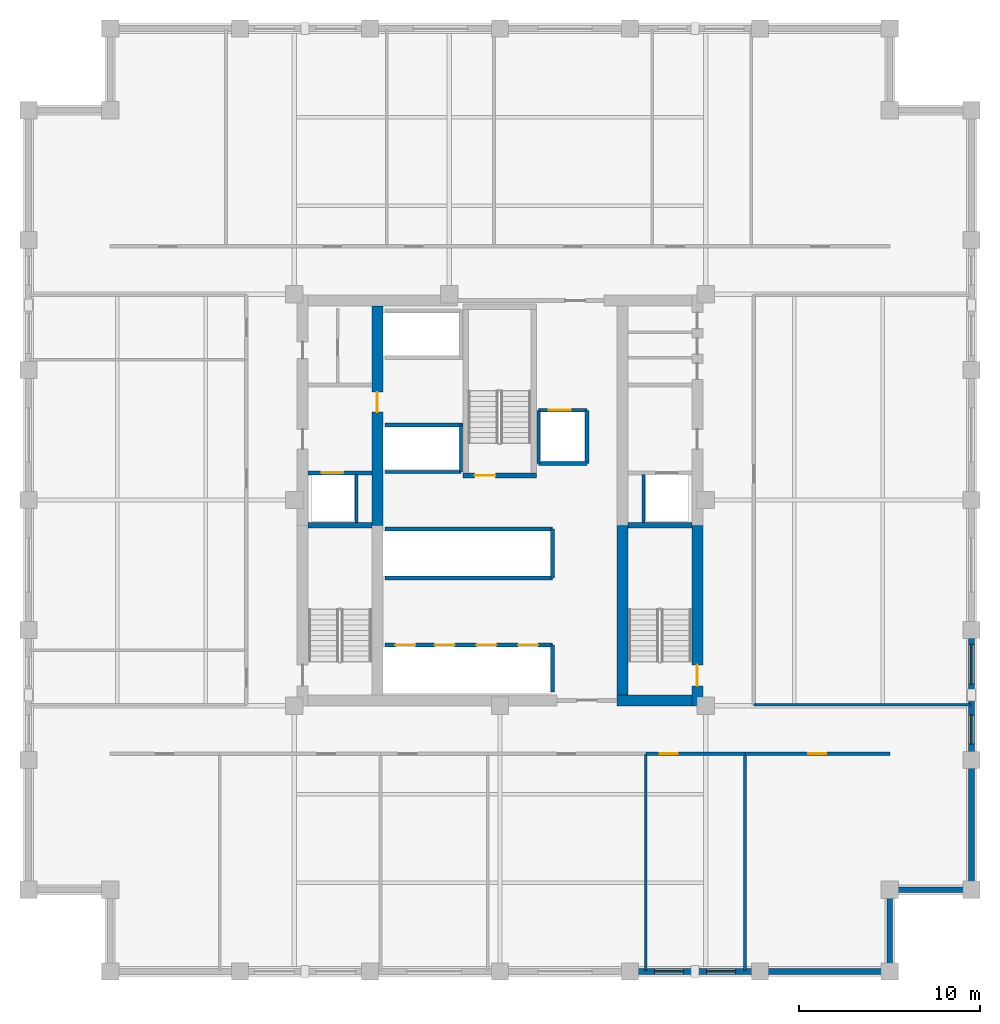
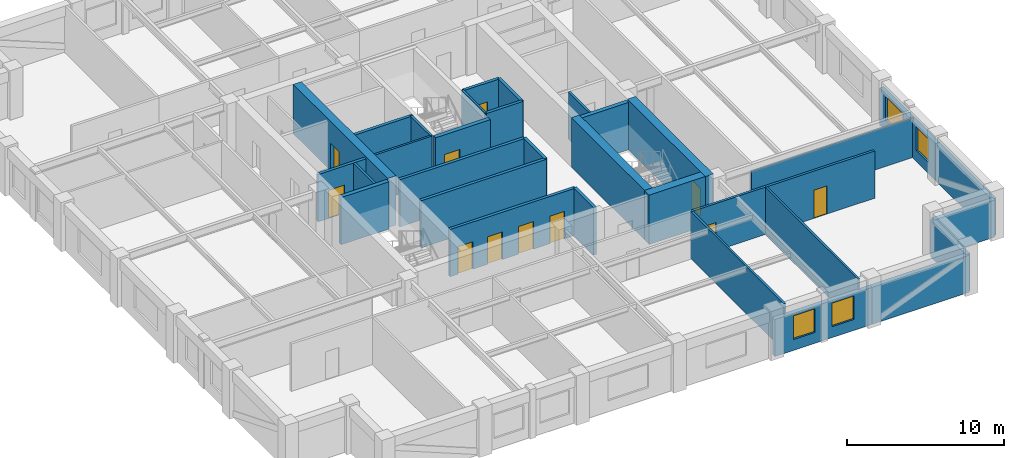
# One storey, part 3 of 6: 33 walls, 11 doors, 4 windows, 15 openings.
"""IFC4 building model written with IfcOpenShell, lengths in metres."""

from ifc_helpers import new_model, si_unit, direction, frame, frame_2d, origin, place, context, subcontext, project, spatial, rectangle, extrude, material, layer, layer_set, type_object, element, fill, save


model = new_model("IFC4")

# Units and contexts
model_context = context("Model", 3, precision=1e-05, world=origin(), true_north=direction((0.0, 1.0)))
body_context = subcontext(model_context, "Body", "Model", "MODEL_VIEW")
ifc_project = project(units=[si_unit("LENGTHUNIT", "METRE"), si_unit("AREAUNIT", "SQUARE_METRE"), si_unit("VOLUMEUNIT", "CUBIC_METRE"), si_unit("PLANEANGLEUNIT", "RADIAN"), si_unit("MASSUNIT", "GRAM", prefix="KILO")], contexts=[model_context])

# Site, building, storey
site_placement = place(None, origin())
site = spatial("IfcSite", under=ifc_project, at=site_placement, CompositionType="ELEMENT")
building_placement = place(site_placement, origin())
building = spatial("IfcBuilding", under=site, at=building_placement, Name="Nhamokura Convention Tower", CompositionType="ELEMENT")
storey_placement = place(building_placement, frame((0.0, 0.0, 129.85009765625)))
storey = spatial("IfcBuildingStorey", under=building, at=storey_placement, Name="L31", CompositionType="ELEMENT", Elevation=129.85009765625)

# Wall, openings, windows
ifc_material_1 = material(Name="Bronze-pigmented precast concrete C45/55", Category="concrete")
ifc_layer_1 = layer(ifc_material_1, 0.320068359375)
ifc_layer_set_1 = layer_set([ifc_layer_1], Name="BronzePrecastSpandrel_320")
wall_type_1 = type_object("IfcWallType", Name="BronzePrecastSpandrel_320", PredefinedType="USERDEFINED", material=ifc_layer_set_1)
wall_1_placement = place(storey_placement, frame((46.333251953125, 6.0, 0.0), z_axis=(0.0, 0.0, 1.0), x_axis=(-1.0, 0.0, 0.0)))
wall_1 = element("IfcWall", 1, at=wall_1_placement, inside=storey, type_object=wall_type_1, Name="L31 Masonry-Frame Wall SOUTH 4", ObjectType="SPANDREL_WALL", PredefinedType="USERDEFINED", context=body_context, shape_type="SweptSolid", body=[
    extrude(rectangle(XDim=7.16650390625, YDim=0.320068359375, at=frame_2d((3.583251953125, 0.0))), origin(), (0.0, 0.0, 1.0), 2.885009765625),
])
opening_1_placement = place(wall_1_placement, frame((1.341796875, 0.0, 0.85009765625)))
opening_1 = element("IfcOpeningElement", 2, at=opening_1_placement, cuts=wall_1, Name="Opening W-11", PredefinedType="OPENING", context=body_context, shape_type="SweptSolid", body=[
    extrude(rectangle(XDim=1.60009765625, YDim=1.8349609375, at=frame_2d((0.800048828125, 0.91748046875))), frame((0.0, 0.169921875, 0.0), z_axis=(0.0, -1.0, 0.0), x_axis=(1.0, 0.0, 0.0)), (0.0, 0.0, 1.0), 0.340087890625),
])
opening_2_placement = place(wall_1_placement, frame((4.199951171875, 0.0, 0.85009765625)))
opening_2 = element("IfcOpeningElement", 3, at=opening_2_placement, cuts=wall_1, Name="Opening W-11", PredefinedType="OPENING", context=body_context, shape_type="SweptSolid", body=[
    extrude(rectangle(XDim=1.60009765625, YDim=1.8349609375, at=frame_2d((0.800048828125, 0.91748046875))), frame((0.0, 0.169921875, 0.0), z_axis=(0.0, -1.0, 0.0), x_axis=(1.0, 0.0, 0.0)), (0.0, 0.0, 1.0), 0.340087890625),
])
ifc_material_2 = material(Name="Solar-control bronze low-E double glass", Category="glass")
window_type_1 = type_object("IfcWindowType", Name="NotchCornerWindow_1600", PartitioningType="SINGLE_PANEL", PredefinedType="WINDOW", material=ifc_material_2)
window_1_placement = place(opening_1_placement, origin())
window_1 = element("IfcWindow", 4, at=window_1_placement, inside=storey, type_object=window_type_1, Name="L31 Facade Window SOUTH 4-1", OverallHeight=1.8349609375, OverallWidth=1.60009765625, PartitioningType="SINGLE_PANEL", PredefinedType="WINDOW", context=body_context, shape_type="SweptSolid", body=[
    extrude(rectangle(XDim=1.60009765625, YDim=1.8349609375, at=frame_2d((0.800048828125, 0.91748046875))), frame((0.0, 0.030029296875, 0.0), z_axis=(0.0, -1.0, 0.0), x_axis=(1.0, 0.0, 0.0)), (0.0, 0.0, 1.0), 0.06005859375),
])
fill(opening_1, window_1)
window_2_placement = place(opening_2_placement, origin())
window_2 = element("IfcWindow", 5, at=window_2_placement, inside=storey, type_object=window_type_1, Name="L31 Facade Window SOUTH 4-2", OverallHeight=1.8349609375, OverallWidth=1.60009765625, PartitioningType="SINGLE_PANEL", PredefinedType="WINDOW", context=body_context, shape_type="SweptSolid", body=[
    extrude(rectangle(XDim=1.60009765625, YDim=1.8349609375, at=frame_2d((0.800048828125, 0.91748046875))), frame((0.0, 0.030029296875, 0.0), z_axis=(0.0, -1.0, 0.0), x_axis=(1.0, 0.0, 0.0)), (0.0, 0.0, 1.0), 0.06005859375),
])
fill(opening_2, window_2)

# Walls
for number, where, z_axis, x_axis, name in (
    (6, (53.5, 6.0, 0.0), (0.0, 0.0, 1.0), (-1.0, 0.0, 0.0), "L31 Braced-Bay Precast Wall SOUTH 5"),
    (7, (58.0, 17.666748046875, 0.0), (0.0, 0.0, 1.0), (0.0, -1.0, 0.0), "L31 Braced-Bay Precast Wall EAST 0"),
):
    element("IfcWall", number, at=place(storey_placement, frame(where, z_axis=z_axis, x_axis=x_axis)), inside=storey, type_object=wall_type_1, Name=name, ObjectType="SPANDREL_WALL", PredefinedType="USERDEFINED", context=body_context, shape_type="SweptSolid", body=[
        extrude(rectangle(XDim=7.166748046875, YDim=0.320068359375, at=frame_2d((3.58349609375, 0.0))), origin(), (0.0, 0.0, 1.0), 2.885009765625),
    ])

# Wall, openings, windows
wall_2_placement = place(storey_placement, frame((58.0, 24.833251953125, 0.0), z_axis=(0.0, 0.0, 1.0), x_axis=(0.0, -1.0, 0.0)))
wall_2 = element("IfcWall", 8, at=wall_2_placement, inside=storey, type_object=wall_type_1, Name="L31 Masonry-Frame Wall EAST 1", ObjectType="SPANDREL_WALL", PredefinedType="USERDEFINED", context=body_context, shape_type="SweptSolid", body=[
    extrude(rectangle(XDim=7.16650390625, YDim=0.320068359375, at=frame_2d((3.583251953125, 0.0))), origin(), (0.0, 0.0, 1.0), 2.885009765625),
])
opening_3_placement = place(wall_2_placement, frame((0.791748046875, 0.0, 0.85009765625)))
opening_3 = element("IfcOpeningElement", 9, at=opening_3_placement, cuts=wall_2, Name="Opening W-06", PredefinedType="OPENING", context=body_context, shape_type="SweptSolid", body=[
    extrude(rectangle(XDim=2.199951171875, YDim=1.8349609375, at=frame_2d((1.10009765625, 0.91748046875))), frame((0.0, 0.169921875, 0.0), z_axis=(0.0, -1.0, 0.0), x_axis=(1.0, 0.0, 0.0)), (0.0, 0.0, 1.0), 0.340087890625),
])
opening_4_placement = place(wall_2_placement, frame((4.6875, 0.0, 0.85009765625)))
opening_4 = element("IfcOpeningElement", 10, at=opening_4_placement, cuts=wall_2, Name="Opening W-11", PredefinedType="OPENING", context=body_context, shape_type="SweptSolid", body=[
    extrude(rectangle(XDim=1.60009765625, YDim=1.8349609375, at=frame_2d((0.800048828125, 0.91748046875))), frame((0.0, 0.169921875, 0.0), z_axis=(0.0, -1.0, 0.0), x_axis=(1.0, 0.0, 0.0)), (0.0, 0.0, 1.0), 0.340087890625),
])
window_3_placement = place(opening_4_placement, origin())
window_3 = element("IfcWindow", 11, at=window_3_placement, inside=storey, type_object=window_type_1, Name="L31 Facade Window EAST 1-2", OverallHeight=1.8349609375, OverallWidth=1.60009765625, PartitioningType="SINGLE_PANEL", PredefinedType="WINDOW", context=body_context, shape_type="SweptSolid", body=[
    extrude(rectangle(XDim=1.60009765625, YDim=1.8349609375, at=frame_2d((0.800048828125, 0.91748046875))), frame((0.0, 0.030029296875, 0.0), z_axis=(0.0, -1.0, 0.0), x_axis=(1.0, 0.0, 0.0)), (0.0, 0.0, 1.0), 0.06005859375),
])
fill(opening_4, window_3)
ifc_material_3 = material(Name="Solar-control bronze low-E double glass", Category="glass")
window_type_2 = type_object("IfcWindowType", Name="OfficeModuleWindow_Z2_2200", PartitioningType="SINGLE_PANEL", PredefinedType="WINDOW", material=ifc_material_3)
window_4_placement = place(opening_3_placement, origin())
window_4 = element("IfcWindow", 12, at=window_4_placement, inside=storey, type_object=window_type_2, Name="L31 Facade Window EAST 1-1", OverallHeight=1.8349609375, OverallWidth=2.199951171875, PartitioningType="SINGLE_PANEL", PredefinedType="WINDOW", context=body_context, shape_type="SweptSolid", body=[
    extrude(rectangle(XDim=2.199951171875, YDim=1.8349609375, at=frame_2d((1.10009765625, 0.91748046875))), frame((0.0, 0.030029296875, 0.0), z_axis=(0.0, -1.0, 0.0), x_axis=(1.0, 0.0, 0.0)), (0.0, 0.0, 1.0), 0.06005859375),
])
fill(opening_3, window_4)

# Walls
for number, where, z_axis, x_axis, name in (
    (13, (53.5, 10.5, 0.0), (0.0, 0.0, 1.0), (0.0, -1.0, 0.0), "L31 Notched Corner Wall SE1"),
    (14, (58.0, 10.5, 0.0), (0.0, 0.0, 1.0), (-1.0, 0.0, 0.0), "L31 Notched Corner Wall SE2"),
):
    element("IfcWall", number, at=place(storey_placement, frame(where, z_axis=z_axis, x_axis=x_axis)), inside=storey, type_object=wall_type_1, Name=name, ObjectType="SPANDREL_WALL", PredefinedType="USERDEFINED", context=body_context, shape_type="SweptSolid", body=[
        extrude(rectangle(XDim=4.5, YDim=0.320068359375, at=frame_2d((2.25, 0.0))), origin(), (0.0, 0.0, 1.0), 2.885009765625),
    ])

# Wall, opening, door
ifc_material_4 = material(Name="Concrete C60/75", Category="concrete")
ifc_layer_2 = layer(ifc_material_4, 0.60009765625)
ifc_layer_set_2 = layer_set([ifc_layer_2], Name="CoreShearWall_600")
wall_type_2 = type_object("IfcWallType", Name="CoreShearWall_600", PredefinedType="SHEAR", material=ifc_layer_set_2)
wall_3_placement = place(storey_placement, frame((42.889892578125, 20.64990234375, 0.0), z_axis=(0.0, 0.0, 1.0), x_axis=(0.0, 1.0, 0.0)))
wall_3 = element("IfcWall", 15, at=wall_3_placement, inside=storey, type_object=wall_type_2, Name="L31 Core Shear Wall CW-ES", PredefinedType="SHEAR", context=body_context, shape_type="SweptSolid", body=[
    extrude(rectangle(XDim=9.9501953125, YDim=0.60009765625, at=frame_2d((4.97509765625, 0.0))), origin(), (0.0, 0.0, 1.0), 3.849853515625),
])
opening_5_placement = place(wall_3_placement, frame((1.10009765625, 0.0, 0.0)))
opening_5 = element("IfcOpeningElement", 16, at=opening_5_placement, cuts=wall_3, Name="Opening D-04", PredefinedType="OPENING", context=body_context, shape_type="SweptSolid", body=[
    extrude(rectangle(XDim=1.14990234375, YDim=2.14990234375, at=frame_2d((0.574951171875, 1.074951171875))), frame((0.0, 0.31005859375, 0.0), z_axis=(0.0, -1.0, 0.0), x_axis=(1.0, 0.0, 0.0)), (0.0, 0.0, 1.0), 0.6201171875),
])
ifc_material_5 = material(Name="Fire-rated steel door", Category="steel")
door_type_1 = type_object("IfcDoorType", Name="StairSmokeDoor_1150", OperationType="NOTDEFINED", PredefinedType="DOOR", material=ifc_material_5)
door_1_placement = place(opening_5_placement, origin())
door_1 = element("IfcDoor", 17, at=door_1_placement, inside=storey, type_object=door_type_1, Name="L31 Core Door INT-L31-D-ST02", OperationType="SINGLE_SWING_RIGHT", OverallHeight=2.14990234375, OverallWidth=1.14990234375, PredefinedType="DOOR", context=body_context, shape_type="SweptSolid", body=[
    extrude(rectangle(XDim=1.14990234375, YDim=2.14990234375, at=frame_2d((0.574951171875, 1.074951171875))), frame((0.0, 0.02490234375, 0.0), z_axis=(0.0, -1.0, 0.0), x_axis=(1.0, 0.0, 0.0)), (0.0, 0.0, 1.0), 0.050048828125),
])
fill(opening_5, door_1)

# Wall
wall_4_placement = place(storey_placement, frame((38.449951171875, 20.949951171875, 0.0), z_axis=(0.0, 0.0, 1.0), x_axis=(1.0, 0.0, 0.0)))
element("IfcWall", 18, at=wall_4_placement, inside=storey, type_object=wall_type_2, Name="L31 Core Shear Wall CW-S2", PredefinedType="SHEAR", context=body_context, shape_type="SweptSolid", body=[
    extrude(rectangle(XDim=4.14013671875, YDim=0.60009765625, at=frame_2d((2.070068359375, 0.0))), origin(), (0.0, 0.0, 1.0), 3.849853515625),
])

# Wall, opening, door
wall_5_placement = place(storey_placement, frame((25.239990234375, 30.60009765625, 0.0), z_axis=(0.0, 0.0, 1.0), x_axis=(0.0, 1.0, 0.0)))
wall_5 = element("IfcWall", 19, at=wall_5_placement, inside=storey, type_object=wall_type_2, Name="L31 Core Shear Wall CW-IWN", PredefinedType="SHEAR", context=body_context, shape_type="SweptSolid", body=[
    extrude(rectangle(XDim=12.099853515625, YDim=0.60009765625, at=frame_2d((6.0498046875, 0.0))), origin(), (0.0, 0.0, 1.0), 3.849853515625),
])
opening_6_placement = place(wall_5_placement, frame((6.25, 0.0, 0.0)))
opening_6 = element("IfcOpeningElement", 20, at=opening_6_placement, cuts=wall_5, Name="Opening D-05", PredefinedType="OPENING", context=body_context, shape_type="SweptSolid", body=[
    extrude(rectangle(XDim=1.10009765625, YDim=2.14990234375, at=frame_2d((0.550048828125, 1.074951171875))), frame((0.0, 0.31005859375, 0.0), z_axis=(0.0, -1.0, 0.0), x_axis=(1.0, 0.0, 0.0)), (0.0, 0.0, 1.0), 0.6201171875),
])
ifc_material_6 = material(Name="Fire-rated steel door", Category="steel")
door_type_2 = type_object("IfcDoorType", Name="FireLobbyDoor_1100", OperationType="NOTDEFINED", PredefinedType="DOOR", material=ifc_material_6)
door_2_placement = place(opening_6_placement, origin())
door_2 = element("IfcDoor", 21, at=door_2_placement, inside=storey, type_object=door_type_2, Name="L31 Core Door INT-L31-D-B3LOB", OperationType="SINGLE_SWING_LEFT", OverallHeight=2.14990234375, OverallWidth=1.10009765625, PredefinedType="DOOR", context=body_context, shape_type="SweptSolid", body=[
    extrude(rectangle(XDim=1.10009765625, YDim=2.14990234375, at=frame_2d((0.550048828125, 1.074951171875))), frame((0.0, 0.02490234375, 0.0), z_axis=(0.0, -1.0, 0.0), x_axis=(1.0, 0.0, 0.0)), (0.0, 0.0, 1.0), 0.050048828125),
])
fill(opening_6, door_2)

# Wall
wall_6_placement = place(storey_placement, frame((38.760009765625, 21.25, 0.0), z_axis=(0.0, 0.0, 1.0), x_axis=(0.0, 1.0, 0.0)))
element("IfcWall", 22, at=wall_6_placement, inside=storey, type_object=wall_type_2, Name="L31 Core Shear Wall CW-IES", PredefinedType="SHEAR", context=body_context, shape_type="SweptSolid", body=[
    extrude(rectangle(XDim=9.35009765625, YDim=0.60009765625, at=frame_2d((4.675048828125, 0.0))), origin(), (0.0, 0.0, 1.0), 3.849853515625),
])

# Wall, opening, door
ifc_material_7 = material(Name="Fire-rated gypsum and masonry partition", Category="masonry")
ifc_layer_3 = layer(ifc_material_7, 0.179931640625)
ifc_layer_set_3 = layer_set([ifc_layer_3], Name="CorridorRatedWall_180")
wall_type_3 = type_object("IfcWallType", Name="CorridorRatedWall_180", PredefinedType="STANDARD", material=ifc_layer_set_3)
wall_7_placement = place(storey_placement, frame((40.041748046875, 18.0, 0.0), z_axis=(0.0, 0.0, 1.0), x_axis=(1.0, 0.0, 0.0)))
wall_7 = element("IfcWall", 23, at=wall_7_placement, inside=storey, type_object=wall_type_3, Name="L31 Wall INT-L31-CW-S04", PredefinedType="STANDARD", context=body_context, shape_type="SweptSolid", body=[
    extrude(rectangle(XDim=5.466552734375, YDim=0.179931640625, at=frame_2d((2.7333984375, 0.0))), origin(), (0.0, 0.0, 1.0), 3.684814453125),
])
opening_7_placement = place(wall_7_placement, frame((0.783203125, 0.0, 0.0)))
opening_7 = element("IfcOpeningElement", 24, at=opening_7_placement, cuts=wall_7, Name="Opening D-08", PredefinedType="OPENING", context=body_context, shape_type="SweptSolid", body=[
    extrude(rectangle(XDim=0.97998046875, YDim=2.199951171875, at=frame_2d((0.489990234375, 1.10009765625))), frame((0.0, 0.099853515625, 0.0), z_axis=(0.0, -1.0, 0.0), x_axis=(1.0, 0.0, 0.0)), (0.0, 0.0, 1.0), 0.199951171875),
])
ifc_material_8 = material(Name="Solid oak hardwood", Category="wood")
door_type_3 = type_object("IfcDoorType", Name="OfficeEntryDoor_980", OperationType="NOTDEFINED", PredefinedType="DOOR", material=ifc_material_8)
door_3_placement = place(opening_7_placement, origin())
door_3 = element("IfcDoor", 25, at=door_3_placement, inside=storey, type_object=door_type_3, Name="L31 Private Office S05 Door", OperationType="SINGLE_SWING_LEFT", OverallHeight=2.199951171875, OverallWidth=0.97998046875, PredefinedType="DOOR", context=body_context, shape_type="SweptSolid", body=[
    extrude(rectangle(XDim=0.97998046875, YDim=2.199951171875, at=frame_2d((0.489990234375, 1.10009765625))), frame((0.0, 0.02490234375, 0.0), z_axis=(0.0, -1.0, 0.0), x_axis=(1.0, 0.0, 0.0)), (0.0, 0.0, 1.0), 0.050048828125),
])
fill(opening_7, door_3)

wall_8_placement = place(storey_placement, frame((45.50830078125, 18.0, 0.0), z_axis=(0.0, 0.0, 1.0), x_axis=(1.0, 0.0, 0.0)))
wall_8 = element("IfcWall", 26, at=wall_8_placement, inside=storey, type_object=wall_type_3, Name="L31 Wall INT-L31-CW-S05", PredefinedType="STANDARD", context=body_context, shape_type="SweptSolid", body=[
    extrude(rectangle(XDim=7.99169921875, YDim=0.179931640625, at=frame_2d((3.995849609375, 0.0))), origin(), (0.0, 0.0, 1.0), 3.684814453125),
])
opening_8_placement = place(wall_8_placement, frame((3.495849609375, 0.0, 0.0)))
opening_8 = element("IfcOpeningElement", 27, at=opening_8_placement, cuts=wall_8, Name="Opening D-08", PredefinedType="OPENING", context=body_context, shape_type="SweptSolid", body=[
    extrude(rectangle(XDim=0.97998046875, YDim=2.199951171875, at=frame_2d((0.489990234375, 1.10009765625))), frame((0.0, 0.099853515625, 0.0), z_axis=(0.0, -1.0, 0.0), x_axis=(1.0, 0.0, 0.0)), (0.0, 0.0, 1.0), 0.199951171875),
])
door_4_placement = place(opening_8_placement, origin())
door_4 = element("IfcDoor", 28, at=door_4_placement, inside=storey, type_object=door_type_3, Name="L31 Private Office S06 Door", OperationType="SINGLE_SWING_RIGHT", OverallHeight=2.199951171875, OverallWidth=0.97998046875, PredefinedType="DOOR", context=body_context, shape_type="SweptSolid", body=[
    extrude(rectangle(XDim=0.97998046875, YDim=2.199951171875, at=frame_2d((0.489990234375, 1.10009765625))), frame((0.0, 0.02490234375, 0.0), z_axis=(0.0, -1.0, 0.0), x_axis=(1.0, 0.0, 0.0)), (0.0, 0.0, 1.0), 0.050048828125),
])
fill(opening_8, door_4)

ifc_material_9 = material(Name="Autoclaved concrete blockwork", Category="masonry")
ifc_layer_4 = layer(ifc_material_9, 0.219970703125)
ifc_layer_set_4 = layer_set([ifc_layer_4], Name="FireLobbyWall_220")
wall_type_4 = type_object("IfcWallType", Name="FireLobbyWall_220", PredefinedType="STANDARD", material=ifc_layer_set_4)
wall_9_placement = place(storey_placement, frame((21.409912109375, 33.5, 0.0), z_axis=(0.0, 0.0, 1.0), x_axis=(1.0, 0.0, 0.0)))
wall_9 = element("IfcWall", 29, at=wall_9_placement, inside=storey, type_object=wall_type_4, Name="L31 Wall INT-L31-FFW-S", PredefinedType="STANDARD", context=body_context, shape_type="SweptSolid", body=[
    extrude(rectangle(XDim=3.530029296875, YDim=0.219970703125, at=frame_2d((1.76513671875, 0.0))), origin(), (0.0, 0.0, 1.0), 3.684814453125),
])
opening_9_placement = place(wall_9_placement, frame((0.75, 0.0, 0.0)))
opening_9 = element("IfcOpeningElement", 30, at=opening_9_placement, cuts=wall_9, Name="Opening LD-02", PredefinedType="OPENING", context=body_context, shape_type="SweptSolid", body=[
    extrude(rectangle(XDim=1.199951171875, YDim=2.199951171875, at=frame_2d((0.60009765625, 1.10009765625))), frame((0.0, 0.119873046875, 0.0), z_axis=(0.0, -1.0, 0.0), x_axis=(1.0, 0.0, 0.0)), (0.0, 0.0, 1.0), 0.239990234375),
])
ifc_material_10 = material(Name="Anodised bronze stainless steel", Category="steel")
door_type_4 = type_object("IfcDoorType", Name="LiftLandingDoor_FireService", OperationType="DOUBLE_DOOR_SLIDING", PredefinedType="DOOR", material=ifc_material_10)
door_5_placement = place(opening_9_placement, origin())
door_5 = element("IfcDoor", 31, at=door_5_placement, inside=storey, type_object=door_type_4, Name="L31 Firefighting Lift LF-01 Door", OperationType="DOUBLE_DOOR_SLIDING", OverallHeight=2.199951171875, OverallWidth=1.199951171875, PredefinedType="DOOR", context=body_context, shape_type="SweptSolid", body=[
    extrude(rectangle(XDim=1.199951171875, YDim=2.199951171875, at=frame_2d((0.60009765625, 1.10009765625))), frame((0.0, 0.02490234375, 0.0), z_axis=(0.0, -1.0, 0.0), x_axis=(1.0, 0.0, 0.0)), (0.0, 0.0, 1.0), 0.050048828125),
])
fill(opening_9, door_5)

# Wall, openings, doors
wall_10_placement = place(storey_placement, frame((25.64990234375, 24.0, 0.0), z_axis=(0.0, 0.0, 1.0), x_axis=(1.0, 0.0, 0.0)))
wall_10 = element("IfcWall", 32, at=wall_10_placement, inside=storey, type_object=wall_type_4, Name="L31 Wall INT-L31-B1N", PredefinedType="STANDARD", context=body_context, shape_type="SweptSolid", body=[
    extrude(rectangle(XDim=9.25, YDim=0.219970703125, at=frame_2d((4.625, 0.0))), origin(), (0.0, 0.0, 1.0), 3.684814453125),
])
opening_10_placement = place(wall_10_placement, frame((0.580078125, 0.0, 0.0)))
opening_10 = element("IfcOpeningElement", 33, at=opening_10_placement, cuts=wall_10, Name="Opening LD-01", PredefinedType="OPENING", context=body_context, shape_type="SweptSolid", body=[
    extrude(rectangle(XDim=1.10009765625, YDim=2.14990234375, at=frame_2d((0.550048828125, 1.074951171875))), frame((0.0, 0.119873046875, 0.0), z_axis=(0.0, -1.0, 0.0), x_axis=(1.0, 0.0, 0.0)), (0.0, 0.0, 1.0), 0.239990234375),
])
opening_11_placement = place(wall_10_placement, frame((2.75, 0.0, 0.0)))
opening_11 = element("IfcOpeningElement", 34, at=opening_11_placement, cuts=wall_10, Name="Opening LD-01", PredefinedType="OPENING", context=body_context, shape_type="SweptSolid", body=[
    extrude(rectangle(XDim=1.10009765625, YDim=2.14990234375, at=frame_2d((0.550048828125, 1.074951171875))), frame((0.0, 0.119873046875, 0.0), z_axis=(0.0, -1.0, 0.0), x_axis=(1.0, 0.0, 0.0)), (0.0, 0.0, 1.0), 0.239990234375),
])
opening_12_placement = place(wall_10_placement, frame((5.050048828125, 0.0, 0.0)))
opening_12 = element("IfcOpeningElement", 35, at=opening_12_placement, cuts=wall_10, Name="Opening LD-01", PredefinedType="OPENING", context=body_context, shape_type="SweptSolid", body=[
    extrude(rectangle(XDim=1.10009765625, YDim=2.14990234375, at=frame_2d((0.550048828125, 1.074951171875))), frame((0.0, 0.119873046875, 0.0), z_axis=(0.0, -1.0, 0.0), x_axis=(1.0, 0.0, 0.0)), (0.0, 0.0, 1.0), 0.239990234375),
])
opening_13_placement = place(wall_10_placement, frame((7.35009765625, 0.0, 0.0)))
opening_13 = element("IfcOpeningElement", 36, at=opening_13_placement, cuts=wall_10, Name="Opening LD-01", PredefinedType="OPENING", context=body_context, shape_type="SweptSolid", body=[
    extrude(rectangle(XDim=1.10009765625, YDim=2.14990234375, at=frame_2d((0.550048828125, 1.074951171875))), frame((0.0, 0.119873046875, 0.0), z_axis=(0.0, -1.0, 0.0), x_axis=(1.0, 0.0, 0.0)), (0.0, 0.0, 1.0), 0.239990234375),
])
ifc_material_11 = material(Name="Anodised bronze stainless steel", Category="steel")
door_type_5 = type_object("IfcDoorType", Name="LiftLandingDoor_Passenger", OperationType="DOUBLE_DOOR_SLIDING", PredefinedType="DOOR", material=ifc_material_11)
door_6_placement = place(opening_10_placement, origin())
door_6 = element("IfcDoor", 37, at=door_6_placement, inside=storey, type_object=door_type_5, Name="L31 Lift LP-01 Landing Door", OperationType="DOUBLE_DOOR_SLIDING", OverallHeight=2.14990234375, OverallWidth=1.10009765625, PredefinedType="DOOR", context=body_context, shape_type="SweptSolid", body=[
    extrude(rectangle(XDim=1.10009765625, YDim=2.14990234375, at=frame_2d((0.550048828125, 1.074951171875))), frame((0.0, 0.02490234375, 0.0), z_axis=(0.0, -1.0, 0.0), x_axis=(1.0, 0.0, 0.0)), (0.0, 0.0, 1.0), 0.050048828125),
])
fill(opening_10, door_6)
door_7_placement = place(opening_11_placement, origin())
door_7 = element("IfcDoor", 38, at=door_7_placement, inside=storey, type_object=door_type_5, Name="L31 Lift LP-02 Landing Door", OperationType="DOUBLE_DOOR_SLIDING", OverallHeight=2.14990234375, OverallWidth=1.10009765625, PredefinedType="DOOR", context=body_context, shape_type="SweptSolid", body=[
    extrude(rectangle(XDim=1.10009765625, YDim=2.14990234375, at=frame_2d((0.550048828125, 1.074951171875))), frame((0.0, 0.02490234375, 0.0), z_axis=(0.0, -1.0, 0.0), x_axis=(1.0, 0.0, 0.0)), (0.0, 0.0, 1.0), 0.050048828125),
])
fill(opening_11, door_7)
door_8_placement = place(opening_12_placement, origin())
door_8 = element("IfcDoor", 39, at=door_8_placement, inside=storey, type_object=door_type_5, Name="L31 Lift LP-03 Landing Door", OperationType="DOUBLE_DOOR_SLIDING", OverallHeight=2.14990234375, OverallWidth=1.10009765625, PredefinedType="DOOR", context=body_context, shape_type="SweptSolid", body=[
    extrude(rectangle(XDim=1.10009765625, YDim=2.14990234375, at=frame_2d((0.550048828125, 1.074951171875))), frame((0.0, 0.02490234375, 0.0), z_axis=(0.0, -1.0, 0.0), x_axis=(1.0, 0.0, 0.0)), (0.0, 0.0, 1.0), 0.050048828125),
])
fill(opening_12, door_8)
door_9_placement = place(opening_13_placement, origin())
door_9 = element("IfcDoor", 40, at=door_9_placement, inside=storey, type_object=door_type_5, Name="L31 Lift LP-04 Landing Door", OperationType="DOUBLE_DOOR_SLIDING", OverallHeight=2.14990234375, OverallWidth=1.10009765625, PredefinedType="DOOR", context=body_context, shape_type="SweptSolid", body=[
    extrude(rectangle(XDim=1.10009765625, YDim=2.14990234375, at=frame_2d((0.550048828125, 1.074951171875))), frame((0.0, 0.02490234375, 0.0), z_axis=(0.0, -1.0, 0.0), x_axis=(1.0, 0.0, 0.0)), (0.0, 0.0, 1.0), 0.050048828125),
])
fill(opening_13, door_9)

# Walls
wall_11_placement = place(storey_placement, frame((34.89990234375, 21.39990234375, 0.0), z_axis=(0.0, 0.0, 1.0), x_axis=(0.0, 1.0, 0.0)))
element("IfcWall", 41, at=wall_11_placement, inside=storey, type_object=wall_type_4, Name="L31 Wall INT-L31-B1E", PredefinedType="STANDARD", context=body_context, shape_type="SweptSolid", body=[
    extrude(rectangle(XDim=2.60009765625, YDim=0.219970703125, at=frame_2d((1.300048828125, 0.0))), origin(), (0.0, 0.0, 1.0), 3.684814453125),
])
for number, where, z_axis, x_axis, name in (
    (42, (25.64990234375, 27.699951171875, 0.0), (0.0, 0.0, 1.0), (1.0, 0.0, 0.0), "L31 Wall INT-L31-B2S"),
    (43, (25.64990234375, 30.39990234375, 0.0), (0.0, 0.0, 1.0), (1.0, 0.0, 0.0), "L31 Wall INT-L31-B2N"),
):
    element("IfcWall", number, at=place(storey_placement, frame(where, z_axis=z_axis, x_axis=x_axis)), inside=storey, type_object=wall_type_4, Name=name, PredefinedType="STANDARD", context=body_context, shape_type="SweptSolid", body=[
        extrude(rectangle(XDim=9.25, YDim=0.219970703125, at=frame_2d((4.625, 0.0))), origin(), (0.0, 0.0, 1.0), 3.684814453125),
    ])
wall_12_placement = place(storey_placement, frame((34.89990234375, 27.699951171875, 0.0), z_axis=(0.0, 0.0, 1.0), x_axis=(0.0, 1.0, 0.0)))
element("IfcWall", 44, at=wall_12_placement, inside=storey, type_object=wall_type_4, Name="L31 Wall INT-L31-B2E", PredefinedType="STANDARD", context=body_context, shape_type="SweptSolid", body=[
    extrude(rectangle(XDim=2.699951171875, YDim=0.219970703125, at=frame_2d((1.35009765625, 0.0))), origin(), (0.0, 0.0, 1.0), 3.684814453125),
])
wall_13_placement = place(storey_placement, frame((25.64990234375, 36.14990234375, 0.0), z_axis=(0.0, 0.0, 1.0), x_axis=(1.0, 0.0, 0.0)))
element("IfcWall", 45, at=wall_13_placement, inside=storey, type_object=wall_type_4, Name="L31 Wall INT-L31-B3S", PredefinedType="STANDARD", context=body_context, shape_type="SweptSolid", body=[
    extrude(rectangle(XDim=4.300048828125, YDim=0.219970703125, at=frame_2d((2.14990234375, 0.0))), origin(), (0.0, 0.0, 1.0), 3.684814453125),
])

# Wall, opening, door
wall_14_placement = place(storey_placement, frame((34.1201171875, 36.949951171875, 0.0), z_axis=(0.0, 0.0, 1.0), x_axis=(1.0, 0.0, 0.0)))
wall_14 = element("IfcWall", 46, at=wall_14_placement, inside=storey, type_object=wall_type_4, Name="L31 Wall INT-L31-LSN", PredefinedType="STANDARD", context=body_context, shape_type="SweptSolid", body=[
    extrude(rectangle(XDim=2.679931640625, YDim=0.219970703125, at=frame_2d((1.33984375, 0.0))), origin(), (0.0, 0.0, 1.0), 3.684814453125),
])
opening_14_placement = place(wall_14_placement, frame((0.580078125, 0.0, 0.0)))
opening_14 = element("IfcOpeningElement", 47, at=opening_14_placement, cuts=wall_14, Name="Opening LD-02", PredefinedType="OPENING", context=body_context, shape_type="SweptSolid", body=[
    extrude(rectangle(XDim=1.199951171875, YDim=2.199951171875, at=frame_2d((0.60009765625, 1.10009765625))), frame((0.0, 0.119873046875, 0.0), z_axis=(0.0, -1.0, 0.0), x_axis=(1.0, 0.0, 0.0)), (0.0, 0.0, 1.0), 0.239990234375),
])
door_10_placement = place(opening_14_placement, origin())
door_10 = element("IfcDoor", 48, at=door_10_placement, inside=storey, type_object=door_type_4, Name="L31 Service Lift LS-01 Door", OperationType="DOUBLE_DOOR_SLIDING", OverallHeight=2.199951171875, OverallWidth=1.199951171875, PredefinedType="DOOR", context=body_context, shape_type="SweptSolid", body=[
    extrude(rectangle(XDim=1.199951171875, YDim=2.199951171875, at=frame_2d((0.60009765625, 1.10009765625))), frame((0.0, 0.02490234375, 0.0), z_axis=(0.0, -1.0, 0.0), x_axis=(1.0, 0.0, 0.0)), (0.0, 0.0, 1.0), 0.050048828125),
])
fill(opening_14, door_10)

# Walls
wall_15_placement = place(storey_placement, frame((36.800048828125, 34.02001953125, 0.0), z_axis=(0.0, 0.0, 1.0), x_axis=(0.0, 1.0, 0.0)))
element("IfcWall", 49, at=wall_15_placement, inside=storey, type_object=wall_type_4, Name="L31 Wall INT-L31-LSE", PredefinedType="STANDARD", context=body_context, shape_type="SweptSolid", body=[
    extrude(rectangle(XDim=2.929931640625, YDim=0.219970703125, at=frame_2d((1.46484375, 0.0))), origin(), (0.0, 0.0, 1.0), 3.684814453125),
])
wall_16_placement = place(storey_placement, frame((34.1201171875, 34.02001953125, 0.0), z_axis=(0.0, 0.0, 1.0), x_axis=(1.0, 0.0, 0.0)))
element("IfcWall", 50, at=wall_16_placement, inside=storey, type_object=wall_type_4, Name="L31 Wall INT-L31-LSS", PredefinedType="STANDARD", context=body_context, shape_type="SweptSolid", body=[
    extrude(rectangle(XDim=2.679931640625, YDim=0.219970703125, at=frame_2d((1.33984375, 0.0))), origin(), (0.0, 0.0, 1.0), 3.684814453125),
])
ifc_material_12 = material(Name="Acoustic gypsum stud partition", Category="masonry")
ifc_layer_5 = layer(ifc_material_12, 0.14990234375)
ifc_layer_set_5 = layer_set([ifc_layer_5], Name="InteriorPartition_150")
wall_type_5 = type_object("IfcWallType", Name="InteriorPartition_150", PredefinedType="STANDARD", material=ifc_layer_set_5)
for number, where, z_axis, x_axis, name in (
    (51, (24.080078125, 30.75, 0.0), (0.0, 0.0, 1.0), (0.0, 1.0, 0.0), "L31 Wall INT-L31-FF1-E"),
    (52, (39.919921875, 30.75, 0.0), (0.0, 0.0, 1.0), (0.0, 1.0, 0.0), "L31 Wall INT-L31-FF2-W"),
):
    element("IfcWall", number, at=place(storey_placement, frame(where, z_axis=z_axis, x_axis=x_axis)), inside=storey, type_object=wall_type_5, Name=name, PredefinedType="STANDARD", context=body_context, shape_type="SweptSolid", body=[
        extrude(rectangle(XDim=2.64990234375, YDim=0.14990234375, at=frame_2d((1.324951171875, 0.0))), origin(), (0.0, 0.0, 1.0), 3.684814453125),
    ])
wall_17_placement = place(storey_placement, frame((25.64990234375, 33.550048828125, 0.0), z_axis=(0.0, 0.0, 1.0), x_axis=(1.0, 0.0, 0.0)))
element("IfcWall", 53, at=wall_17_placement, inside=storey, type_object=wall_type_5, Name="L31 Wall INT-L31-B3A-S", PredefinedType="STANDARD", context=body_context, shape_type="SweptSolid", body=[
    extrude(rectangle(XDim=4.2001953125, YDim=0.14990234375, at=frame_2d((2.10009765625, 0.0))), origin(), (0.0, 0.0, 1.0), 3.684814453125),
])
wall_18_placement = place(storey_placement, frame((29.85009765625, 33.550048828125, 0.0), z_axis=(0.0, 0.0, 1.0), x_axis=(0.0, 1.0, 0.0)))
element("IfcWall", 54, at=wall_18_placement, inside=storey, type_object=wall_type_5, Name="L31 Wall INT-L31-B3A-E", PredefinedType="STANDARD", context=body_context, shape_type="SweptSolid", body=[
    extrude(rectangle(XDim=2.599853515625, YDim=0.14990234375, at=frame_2d((1.2998046875, 0.0))), origin(), (0.0, 0.0, 1.0), 3.684814453125),
])
wall_19_placement = place(storey_placement, frame((34.1201171875, 34.02001953125, 0.0), z_axis=(0.0, 0.0, 1.0), x_axis=(0.0, 1.0, 0.0)))
element("IfcWall", 55, at=wall_19_placement, inside=storey, type_object=wall_type_5, Name="L31 Wall INT-L31-LSW", PredefinedType="STANDARD", context=body_context, shape_type="SweptSolid", body=[
    extrude(rectangle(XDim=2.929931640625, YDim=0.14990234375, at=frame_2d((1.46484375, 0.0))), origin(), (0.0, 0.0, 1.0), 3.684814453125),
])
for number, where, z_axis, x_axis, name in (
    (56, (40.041748046875, 6.06005859375, 0.0), (0.0, 0.0, 1.0), (0.0, 1.0, 0.0), "L31 Wall INT-L31-RW-S04"),
    (57, (45.50830078125, 6.06005859375, 0.0), (0.0, 0.0, 1.0), (0.0, 1.0, 0.0), "L31 Wall INT-L31-RW-S05"),
):
    element("IfcWall", number, at=place(storey_placement, frame(where, z_axis=z_axis, x_axis=x_axis)), inside=storey, type_object=wall_type_5, Name=name, PredefinedType="STANDARD", context=body_context, shape_type="SweptSolid", body=[
        extrude(rectangle(XDim=11.93994140625, YDim=0.14990234375, at=frame_2d((5.969970703125, 0.0))), origin(), (0.0, 0.0, 1.0), 3.684814453125),
    ])
wall_20_placement = place(storey_placement, frame((46.0, 20.699951171875, 0.0), z_axis=(0.0, 0.0, 1.0), x_axis=(1.0, 0.0, 0.0)))
element("IfcWall", 58, at=wall_20_placement, inside=storey, type_object=wall_type_5, Name="L31 Wall INT-L31-RWB-E", PredefinedType="STANDARD", context=body_context, shape_type="SweptSolid", body=[
    extrude(rectangle(XDim=11.93994140625, YDim=0.14990234375, at=frame_2d((5.969970703125, 0.0))), origin(), (0.0, 0.0, 1.0), 3.06494140625),
])
ifc_material_13 = material(Name="Concrete C50/60", Category="concrete")
ifc_layer_6 = layer(ifc_material_13, 0.300048828125)
ifc_layer_set_6 = layer_set([ifc_layer_6], Name="ShaftEnclosureWall_300")
wall_type_6 = type_object("IfcWallType", Name="ShaftEnclosureWall_300", PredefinedType="SHEAR", material=ifc_layer_set_6)
for number, where, z_axis, x_axis, name in (
    (59, (21.409912109375, 30.60009765625, 0.0), (0.0, 0.0, 1.0), (1.0, 0.0, 0.0), "L31 Wall INT-L31-ST01-N"),
    (60, (39.06005859375, 30.60009765625, 0.0), (0.0, 0.0, 1.0), (1.0, 0.0, 0.0), "L31 Wall INT-L31-ST02-N"),
):
    element("IfcWall", number, at=place(storey_placement, frame(where, z_axis=z_axis, x_axis=x_axis)), inside=storey, type_object=wall_type_6, Name=name, PredefinedType="SHEAR", context=body_context, shape_type="SweptSolid", body=[
        extrude(rectangle(XDim=3.530029296875, YDim=0.300048828125, at=frame_2d((1.76513671875, 0.0))), origin(), (0.0, 0.0, 1.0), 3.684814453125),
    ])

# Wall, opening, door
wall_21_placement = place(storey_placement, frame((29.949951171875, 33.35009765625, 0.0), z_axis=(0.0, 0.0, 1.0), x_axis=(1.0, 0.0, 0.0)))
wall_21 = element("IfcWall", 61, at=wall_21_placement, inside=storey, type_object=wall_type_6, Name="L31 Wall INT-L31-ST03S", PredefinedType="SHEAR", context=body_context, shape_type="SweptSolid", body=[
    extrude(rectangle(XDim=4.050048828125, YDim=0.300048828125, at=frame_2d((2.02490234375, 0.0))), origin(), (0.0, 0.0, 1.0), 3.684814453125),
])
opening_15_placement = place(wall_21_placement, frame((0.64990234375, 0.0, 0.0)))
opening_15 = element("IfcOpeningElement", 62, at=opening_15_placement, cuts=wall_21, Name="Opening D-04", PredefinedType="OPENING", context=body_context, shape_type="SweptSolid", body=[
    extrude(rectangle(XDim=1.14990234375, YDim=2.14990234375, at=frame_2d((0.574951171875, 1.074951171875))), frame((0.0, 0.159912109375, 0.0), z_axis=(0.0, -1.0, 0.0), x_axis=(1.0, 0.0, 0.0)), (0.0, 0.0, 1.0), 0.320068359375),
])
door_11_placement = place(opening_15_placement, origin())
door_11 = element("IfcDoor", 63, at=door_11_placement, inside=storey, type_object=door_type_1, Name="L31 Stair ST-03 Smoke Door", OperationType="SINGLE_SWING_LEFT", OverallHeight=2.14990234375, OverallWidth=1.14990234375, PredefinedType="DOOR", context=body_context, shape_type="SweptSolid", body=[
    extrude(rectangle(XDim=1.14990234375, YDim=2.14990234375, at=frame_2d((0.574951171875, 1.074951171875))), frame((0.0, 0.02490234375, 0.0), z_axis=(0.0, -1.0, 0.0), x_axis=(1.0, 0.0, 0.0)), (0.0, 0.0, 1.0), 0.050048828125),
])
fill(opening_15, door_11)

save(model, "model.ifc")
